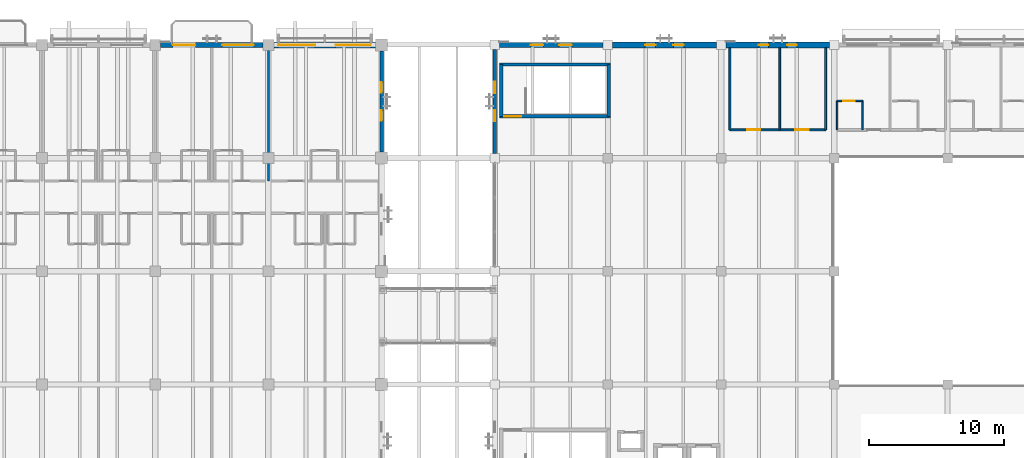
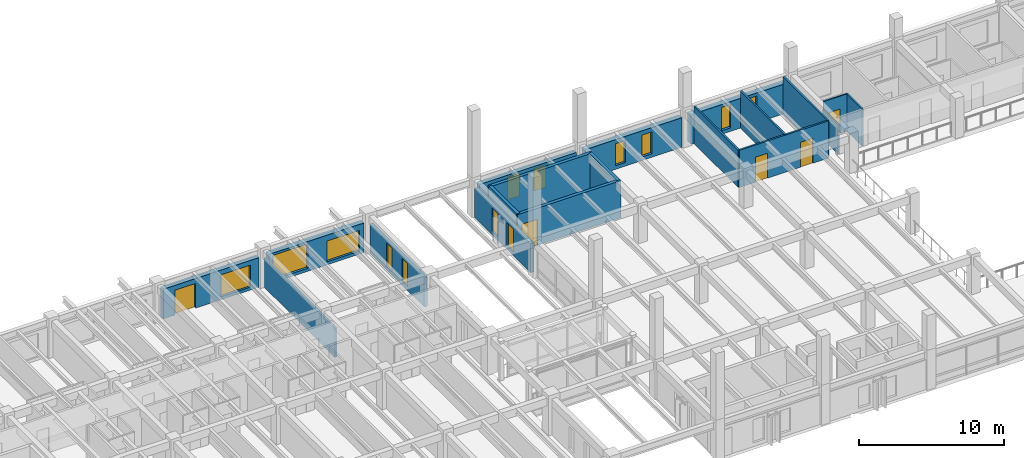
# One storey, part 92 of 123: 19 walls, 13 windows, 5 doors, 18 openings.
"""IFC4 building model written with IfcOpenShell, lengths in metres."""

import ifcopenshell
import ifcopenshell.guid

model = None  # the IFC model being written
_history = None  # IfcOwnerHistory: only IFC2X3 demands one
_inside = {}  # id of a spatial element -> (the spatial element, [elements in it])
_under = {}  # id of a project, library or spatial element -> (it, [spatial elements below it])
_declared = {}  # id of a project -> (the project, [libraries it declares])
_typed = {}  # id of a type object -> (the type object, [elements of that type])
_made_of = {}  # id of a material, layer set ... -> (it, [elements and type objects made of it])


def new_model(schema):
    """Start an empty IFC model of exactly this schema.

    Asked for "IFC4X3", IfcOpenShell would pick the latest addendum, in which some entities
    have other attributes; the version numbers below select the first issue.
    IFC2X3 requires an IfcOwnerHistory on every rooted entity: one is made here for all.
    """
    global model, _history
    if schema == "IFC4X3":
        model = ifcopenshell.file(schema_version=(4, 3, 0, 0))
    else:
        model = ifcopenshell.file(schema=schema)
    _inside.clear()
    _under.clear()
    _declared.clear()
    _typed.clear()
    _made_of.clear()
    _history = None
    if model.schema == "IFC2X3":
        org = make("IfcOrganization", Name="unknown")
        user = make(
            "IfcPersonAndOrganization",
            ThePerson=make("IfcPerson", FamilyName="unknown"),
            TheOrganization=org,
        )
        app = make(
            "IfcApplication",
            ApplicationDeveloper=org,
            Version="unknown",
            ApplicationFullName="unknown",
            ApplicationIdentifier="unknown",
        )
        _history = make(
            "IfcOwnerHistory",
            OwningUser=user,
            OwningApplication=app,
            ChangeAction="ADDED",
            CreationDate=0,
        )
    return model


def make(cls, **values):
    """One entity of the class cls with the attributes given. An attribute that is None is left unset."""
    return model.create_entity(
        cls, **{name: value for name, value in values.items() if value is not None}
    )


def rooted(cls, **values):
    """An entity with a GlobalId (a new one), such as an element, a storey or a relation."""
    return make(cls, GlobalId=ifcopenshell.guid.new(), OwnerHistory=_history, **values)


def si_unit(unit_type, name, prefix=None):
    """IfcSIUnit, for example si_unit("LENGTHUNIT", "METRE", prefix="MILLI")."""
    return make("IfcSIUnit", UnitType=unit_type, Prefix=prefix, Name=name)


def assignment(units):
    """IfcUnitAssignment: the units of a project."""
    return None if units is None else make("IfcUnitAssignment", Units=units)


def point(xyz):
    """IfcCartesianPoint."""
    return None if xyz is None else make("IfcCartesianPoint", Coordinates=xyz)


def direction(xyz):
    """IfcDirection."""
    return None if xyz is None else make("IfcDirection", DirectionRatios=xyz)


def frame(location, z_axis=None, x_axis=None):
    """IfcAxis2Placement3D, a coordinate frame: its origin and axes. An axis left out is left unset."""
    return make(
        "IfcAxis2Placement3D",
        Location=point(location),
        Axis=direction(z_axis),
        RefDirection=direction(x_axis),
    )


def frame_2d(location, x_axis=None):
    """IfcAxis2Placement2D, a coordinate frame in the plane: its origin and x axis."""
    return make(
        "IfcAxis2Placement2D", Location=point(location), RefDirection=direction(x_axis)
    )


def origin():
    """The frame at (0, 0, 0) with its axes left unset."""
    return frame((0.0, 0.0, 0.0))


def place(relative_to, where):
    """IfcLocalPlacement: puts the frame where relative to a parent placement (None: the world)."""
    return make(
        "IfcLocalPlacement", PlacementRelTo=relative_to, RelativePlacement=where
    )


def context(
    kind, dimensions, precision=None, world=None, true_north=None, identifier=None
):
    """IfcGeometricRepresentationContext, for example the 3D "Model" context."""
    return make(
        "IfcGeometricRepresentationContext",
        ContextIdentifier=identifier,
        ContextType=kind,
        CoordinateSpaceDimension=dimensions,
        Precision=precision,
        WorldCoordinateSystem=world,
        TrueNorth=true_north,
    )


def subcontext(parent, identifier, kind, view, scale=None):
    """IfcGeometricRepresentationSubContext, for example "Body" below "Model"."""
    return make(
        "IfcGeometricRepresentationSubContext",
        ContextIdentifier=identifier,
        ContextType=kind,
        ParentContext=parent,
        TargetScale=scale,
        TargetView=view,
    )


def project(units=None, contexts=None):
    """IfcProject with its units and contexts."""
    return rooted(
        "IfcProject",
        Name="project",
        RepresentationContexts=contexts,
        UnitsInContext=assignment(units),
    )


def spatial(cls, under=None, at=None, **own):
    """A site, building, storey or space (cls), placed at a placement, below another one or the project."""
    s = rooted(cls, ObjectPlacement=at, **own)
    if under is not None:
        _under.setdefault(under.id(), (under, []))[1].append(s)
    return s


def profile(cls, at=None, kind="AREA", **sizes):
    """A parametric profile (cls). Its sizes go by their IFC names, for example OverallWidth=200.0."""
    return make(cls, ProfileType=kind, Position=at, **sizes)


def rectangle(**sizes):
    """IfcRectangleProfileDef."""
    return profile("IfcRectangleProfileDef", **sizes)


def extrude(swept, where, along, depth):
    """IfcExtrudedAreaSolid: the profile swept, set in the frame where, extruded along a direction by depth."""
    return make(
        "IfcExtrudedAreaSolid",
        SweptArea=swept,
        Position=where,
        ExtrudedDirection=direction(along),
        Depth=depth,
    )


def shape(context_of_items, identifier, shape_type, items):
    """IfcShapeRepresentation: the items that make up one representation, for example the "Body"."""
    return make(
        "IfcShapeRepresentation",
        ContextOfItems=context_of_items,
        RepresentationIdentifier=identifier,
        RepresentationType=shape_type,
        Items=items,
    )


def material(Name=None, Category=None):
    """IfcMaterial."""
    return make("IfcMaterial", Name=Name, Category=Category)


def layer(
    of_material, thickness, ventilated=None, Name=None, Category=None, Priority=None
):
    """IfcMaterialLayer: one layer of a wall or slab, of a material (None: an air gap)."""
    return make(
        "IfcMaterialLayer",
        Material=of_material,
        LayerThickness=thickness,
        IsVentilated=ventilated,
        Name=Name,
        Category=Category,
        Priority=Priority,
    )


def layer_set(layers, Name=None):
    """IfcMaterialLayerSet."""
    return make("IfcMaterialLayerSet", MaterialLayers=layers, LayerSetName=Name)


def made_of(thing, what):
    """Note that an element or type object is made of a material, layer set ...; save() writes the relation."""
    if what is not None:
        _made_of.setdefault(what.id(), (what, []))[1].append(thing)
    return thing


def type_object(cls, material=None, **own):
    """A type object (cls), such as IfcWallType, which elements share."""
    return made_of(rooted(cls, **own), material)


def element(
    cls,
    number,
    at=None,
    inside=None,
    cuts=None,
    type_object=None,
    material=None,
    context=None,
    identifier="Body",
    shape_type=None,
    held_by="IfcProductDefinitionShape",
    body=None,
    shapes=None,
    **own,
):
    """One element of the class cls, such as IfcWall. Its Tag is "e" and its number.

    at: its placement. inside: the storey or other place that contains it. cuts: it is an
    opening in that element (IfcRelVoidsElement). A single representation is given by context,
    identifier, shape_type and body (its items); several are given by shapes. held_by: the class
    of the entity that holds the representations. save() writes the other relations.
    """
    e = rooted(cls, Tag="e%d" % number, ObjectPlacement=at, **own)
    if body is not None:
        shapes = [shape(context, identifier, shape_type, body)]
    if shapes is not None:
        e.Representation = make(held_by, Representations=shapes)
    if inside is not None:
        _inside.setdefault(inside.id(), (inside, []))[1].append(e)
    if cuts is not None:
        rooted(
            "IfcRelVoidsElement", RelatingBuildingElement=cuts, RelatedOpeningElement=e
        )
    if type_object is not None:
        _typed.setdefault(type_object.id(), (type_object, []))[1].append(e)
    return made_of(e, material)


def fill(opening, filler):
    """IfcRelFillsElement: the door or window that sits in an opening."""
    return rooted(
        "IfcRelFillsElement",
        RelatingOpeningElement=opening,
        RelatedBuildingElement=filler,
    )


def aggregate(whole, parts):
    """IfcRelAggregates: a whole, such as a stair, and the parts it consists of."""
    return rooted("IfcRelAggregates", RelatingObject=whole, RelatedObjects=parts)


def save(model, path):
    """Write the relations noted so far, then the file.

    IfcRelAggregates (storeys below a building ...), IfcRelContainedInSpatialStructure (elements
    in a storey), IfcRelDefinesByType, IfcRelAssociatesMaterial and IfcRelDeclares: one each for
    every whole, place, type object, material and project.
    """
    for whole, parts in _under.values():
        aggregate(whole, parts)
    for where, things in _inside.values():
        rooted(
            "IfcRelContainedInSpatialStructure",
            RelatedElements=things,
            RelatingStructure=where,
        )
    for kind, things in _typed.values():
        rooted("IfcRelDefinesByType", RelatedObjects=things, RelatingType=kind)
    for what, things in _made_of.values():
        rooted("IfcRelAssociatesMaterial", RelatedObjects=things, RelatingMaterial=what)
    for by, libraries in _declared.values():
        rooted("IfcRelDeclares", RelatingContext=by, RelatedDefinitions=libraries)
    model.write(path)


model = new_model("IFC4")

# Units and contexts
model_context = context("Model", 3, precision=1e-05, world=origin(), true_north=direction((0.0, 1.0)))
body_context = subcontext(model_context, "Body", "Model", "MODEL_VIEW")
ifc_project = project(units=[si_unit("LENGTHUNIT", "METRE"), si_unit("AREAUNIT", "SQUARE_METRE"), si_unit("VOLUMEUNIT", "CUBIC_METRE"), si_unit("PLANEANGLEUNIT", "RADIAN"), si_unit("MASSUNIT", "GRAM", prefix="KILO")], contexts=[model_context])

# Site, building, storey
site_placement = place(None, origin())
site = spatial("IfcSite", under=ifc_project, at=site_placement, CompositionType="ELEMENT")
building_placement = place(site_placement, origin())
building = spatial("IfcBuilding", under=site, at=building_placement, Name="Cumbredor Promenade Congress Hotel", CompositionType="ELEMENT")
storey_placement = place(building_placement, frame((0.0, 0.0, 11.760009765625)))
storey = spatial("IfcBuildingStorey", under=building, at=storey_placement, Name="L03", CompositionType="ELEMENT", Elevation=11.760009765625)

# Wall, opening, door
ifc_material_1 = material(Name="Moisture-resistant gypsum board on steel studs", Category="steel")
ifc_layer_1 = layer(ifc_material_1, 0.114990234375, Name="Moisture-resistant gypsum board on steel studs", Category="steel")
ifc_layer_set_1 = layer_set([ifc_layer_1], Name="Moisture-resistant gypsum board on steel studs")
wall_type_1 = type_object("IfcWallType", Name="WL-BATH-115", PredefinedType="PARTITIONING", material=ifc_layer_set_1)
wall_1_placement = place(storey_placement, frame((117.800048828125, 113.449951171875, 0.0), z_axis=(0.0, 0.0, 1.0), x_axis=(1.0, 0.0, 0.0)))
wall_1 = element("IfcWall", 1, at=wall_1_placement, inside=storey, type_object=wall_type_1, Name="L03 Interior Partition W-L03-FBH-F0301", PredefinedType="PARTITIONING", context=body_context, shape_type="SweptSolid", body=[
    extrude(rectangle(XDim=1.89990234375, YDim=0.114990234375, at=frame_2d((0.949951171875, 0.0))), origin(), (0.0, 0.0, 1.0), 3.125),
])
opening_1_placement = place(wall_1_placement, frame((0.449951171875, 0.0, 0.0)))
opening_1 = element("IfcOpeningElement", 2, at=opening_1_placement, cuts=wall_1, Name="Opening ID-01", PredefinedType="OPENING", context=body_context, shape_type="SweptSolid", body=[
    extrude(rectangle(XDim=0.860107421875, YDim=2.050048828125, at=frame_2d((0.43017578125, 1.02490234375))), frame((0.0, 0.0673828125, 0.0), z_axis=(0.0, -1.0, 0.0), x_axis=(1.0, 0.0, 0.0)), (0.0, 0.0, 1.0), 0.135009765625),
])
ifc_material_2 = material(Name="Kiln-dried tropical hardwood", Category="wood")
door_type_1 = type_object("IfcDoorType", Name="DR-BATH-860", OperationType="NOTDEFINED", PredefinedType="DOOR", material=ifc_material_2)
door_1_placement = place(opening_1_placement, origin())
door_1 = element("IfcDoor", 3, at=door_1_placement, inside=storey, type_object=door_type_1, Name="L03 Interior Door W-L03-FBH-F0301-01", OperationType="SINGLE_SWING_LEFT", OverallHeight=2.050048828125, OverallWidth=0.860107421875, PredefinedType="DOOR", context=body_context, shape_type="SweptSolid", body=[
    extrude(rectangle(XDim=0.860107421875, YDim=2.050048828125, at=frame_2d((0.43017578125, 1.02490234375))), frame((0.0, 0.02490234375, 0.0), z_axis=(0.0, -1.0, 0.0), x_axis=(1.0, 0.0, 0.0)), (0.0, 0.0, 1.0), 0.050048828125),
])
fill(opening_1, door_1)

# Walls
wall_2_placement = place(storey_placement, frame((119.699951171875, 111.300048828125, 0.0), z_axis=(0.0, 0.0, 1.0), x_axis=(0.0, 1.0, 0.0)))
element("IfcWall", 4, at=wall_2_placement, inside=storey, type_object=wall_type_1, Name="L03 Interior Partition W-L03-FBV-F0301", PredefinedType="PARTITIONING", context=body_context, shape_type="SweptSolid", body=[
    extrude(rectangle(XDim=2.14990234375, YDim=0.114990234375, at=frame_2d((1.074951171875, 0.0))), origin(), (0.0, 0.0, 1.0), 3.125),
])
wall_3_placement = place(storey_placement, frame((117.800048828125, 111.300048828125, 0.0), z_axis=(0.0, 0.0, 1.0), x_axis=(0.0, 1.0, 0.0)))
element("IfcWall", 5, at=wall_3_placement, inside=storey, type_object=wall_type_1, Name="L03 Interior Partition W-L03-FBV0-F0301", PredefinedType="PARTITIONING", context=body_context, shape_type="SweptSolid", body=[
    extrude(rectangle(XDim=2.14990234375, YDim=0.114990234375, at=frame_2d((1.074951171875, 0.0))), origin(), (0.0, 0.0, 1.0), 2.455078125),
])

# Wall, openings, windows
ifc_material_3 = material(Name="Concrete C40/50", Category="concrete")
ifc_layer_2 = layer(ifc_material_3, 0.260009765625, Name="Concrete C40/50", Category="concrete")
ifc_layer_set_2 = layer_set([ifc_layer_2], Name="Concrete C40/50")
wall_type_2 = type_object("IfcWallType", Name="WL-EXT-260", PredefinedType="SOLIDWALL", material=ifc_layer_set_2)
wall_4_placement = place(storey_placement, frame((92.39990234375, 109.551025390625, 0.0), z_axis=(0.0, 0.0, 1.0), x_axis=(0.0, 1.0, 0.0)))
wall_4 = element("IfcWall", 6, at=wall_4_placement, inside=storey, type_object=wall_type_2, Name="L03 Pre-Function and Breakout Meeting Forum West Envelope Wall 4", PredefinedType="SOLIDWALL", context=body_context, shape_type="SweptSolid", body=[
    extrude(rectangle(XDim=7.697998046875, YDim=0.260009765625, at=frame_2d((3.84912109375, 0.0))), origin(), (0.0, 0.0, 1.0), 2.455078125),
])
opening_2_placement = place(wall_4_placement, frame((2.37890625, 0.0, 0.300048828125)))
opening_2 = element("IfcOpeningElement", 7, at=opening_2_placement, cuts=wall_4, Name="Opening WN-51", PredefinedType="OPENING", context=body_context, shape_type="SweptSolid", body=[
    extrude(rectangle(XDim=0.840087890625, YDim=1.949951171875, at=frame_2d((0.419921875, 0.97509765625))), frame((0.0, 0.14013671875, 0.0), z_axis=(0.0, -1.0, 0.0), x_axis=(1.0, 0.0, 0.0)), (0.0, 0.0, 1.0), 0.280029296875),
])
opening_3_placement = place(wall_4_placement, frame((4.47900390625, 0.0, 0.300048828125)))
opening_3 = element("IfcOpeningElement", 8, at=opening_3_placement, cuts=wall_4, Name="Opening WN-51", PredefinedType="OPENING", context=body_context, shape_type="SweptSolid", body=[
    extrude(rectangle(XDim=0.840087890625, YDim=1.949951171875, at=frame_2d((0.419921875, 0.97509765625))), frame((0.0, 0.14013671875, 0.0), z_axis=(0.0, -1.0, 0.0), x_axis=(1.0, 0.0, 0.0)), (0.0, 0.0, 1.0), 0.280029296875),
])
ifc_material_4 = material(Name="Thermally broken anodized aluminium and low-E glass", Category="aluminium")
window_type_1 = type_object("IfcWindowType", Name="Vertical Slot Window WN-51 840x1950", PartitioningType="SINGLE_PANEL", PredefinedType="WINDOW", material=ifc_material_4)
window_1_placement = place(opening_2_placement, origin())
window_1 = element("IfcWindow", 9, at=window_1_placement, inside=storey, type_object=window_type_1, Name="L03 Vertical Slot Window 0392", OverallHeight=1.949951171875, OverallWidth=0.840087890625, PartitioningType="SINGLE_PANEL", PredefinedType="WINDOW", context=body_context, shape_type="SweptSolid", body=[
    extrude(rectangle(XDim=0.840087890625, YDim=1.949951171875, at=frame_2d((0.419921875, 0.97509765625))), frame((0.0, 0.030029296875, 0.0), z_axis=(0.0, -1.0, 0.0), x_axis=(1.0, 0.0, 0.0)), (0.0, 0.0, 1.0), 0.06005859375),
])
fill(opening_2, window_1)
window_2_placement = place(opening_3_placement, origin())
window_2 = element("IfcWindow", 10, at=window_2_placement, inside=storey, type_object=window_type_1, Name="L03 Vertical Slot Window 0393", OverallHeight=1.949951171875, OverallWidth=0.840087890625, PartitioningType="SINGLE_PANEL", PredefinedType="WINDOW", context=body_context, shape_type="SweptSolid", body=[
    extrude(rectangle(XDim=0.840087890625, YDim=1.949951171875, at=frame_2d((0.419921875, 0.97509765625))), frame((0.0, 0.030029296875, 0.0), z_axis=(0.0, -1.0, 0.0), x_axis=(1.0, 0.0, 0.0)), (0.0, 0.0, 1.0), 0.06005859375),
])
fill(opening_3, window_2)

wall_5_placement = place(storey_placement, frame((84.0, 109.65087890625, 0.0), z_axis=(0.0, 0.0, 1.0), x_axis=(0.0, 1.0, 0.0)))
wall_5 = element("IfcWall", 11, at=wall_5_placement, inside=storey, type_object=wall_type_2, Name="L03 Stepped Congress Hotel Wing East Envelope Wall 4", PredefinedType="SOLIDWALL", context=body_context, shape_type="SweptSolid", body=[
    extrude(rectangle(XDim=7.498046875, YDim=0.260009765625, at=frame_2d((3.7490234375, 0.0))), origin(), (0.0, 0.0, 1.0), 2.455078125),
])
opening_4_placement = place(wall_5_placement, frame((2.30908203125, 0.0, 0.300048828125)))
opening_4 = element("IfcOpeningElement", 12, at=opening_4_placement, cuts=wall_5, Name="Opening WN-50", PredefinedType="OPENING", context=body_context, shape_type="SweptSolid", body=[
    extrude(rectangle(XDim=0.780029296875, YDim=1.949951171875, at=frame_2d((0.39013671875, 0.97509765625))), frame((0.0, 0.14013671875, 0.0), z_axis=(0.0, -1.0, 0.0), x_axis=(1.0, 0.0, 0.0)), (0.0, 0.0, 1.0), 0.280029296875),
])
opening_5_placement = place(wall_5_placement, frame((4.408935546875, 0.0, 0.300048828125)))
opening_5 = element("IfcOpeningElement", 13, at=opening_5_placement, cuts=wall_5, Name="Opening WN-50", PredefinedType="OPENING", context=body_context, shape_type="SweptSolid", body=[
    extrude(rectangle(XDim=0.780029296875, YDim=1.949951171875, at=frame_2d((0.39013671875, 0.97509765625))), frame((0.0, 0.14013671875, 0.0), z_axis=(0.0, -1.0, 0.0), x_axis=(1.0, 0.0, 0.0)), (0.0, 0.0, 1.0), 0.280029296875),
])
window_type_2 = type_object("IfcWindowType", Name="Vertical Slot Window WN-50 780x1950", PartitioningType="SINGLE_PANEL", PredefinedType="WINDOW", material=ifc_material_4)
window_3_placement = place(opening_4_placement, origin())
window_3 = element("IfcWindow", 14, at=window_3_placement, inside=storey, type_object=window_type_2, Name="L03 Vertical Slot Window 0442", OverallHeight=1.949951171875, OverallWidth=0.780029296875, PartitioningType="SINGLE_PANEL", PredefinedType="WINDOW", context=body_context, shape_type="SweptSolid", body=[
    extrude(rectangle(XDim=0.780029296875, YDim=1.949951171875, at=frame_2d((0.39013671875, 0.97509765625))), frame((0.0, 0.030029296875, 0.0), z_axis=(0.0, -1.0, 0.0), x_axis=(1.0, 0.0, 0.0)), (0.0, 0.0, 1.0), 0.06005859375),
])
fill(opening_4, window_3)
window_4_placement = place(opening_5_placement, origin())
window_4 = element("IfcWindow", 15, at=window_4_placement, inside=storey, type_object=window_type_2, Name="L03 Vertical Slot Window 0443", OverallHeight=1.949951171875, OverallWidth=0.780029296875, PartitioningType="SINGLE_PANEL", PredefinedType="WINDOW", context=body_context, shape_type="SweptSolid", body=[
    extrude(rectangle(XDim=0.780029296875, YDim=1.949951171875, at=frame_2d((0.39013671875, 0.97509765625))), frame((0.0, 0.030029296875, 0.0), z_axis=(0.0, -1.0, 0.0), x_axis=(1.0, 0.0, 0.0)), (0.0, 0.0, 1.0), 0.06005859375),
])
fill(opening_5, window_4)

ifc_layer_3 = layer(ifc_material_3, 0.3798828125, Name="Concrete C40/50", Category="concrete")
ifc_layer_set_3 = layer_set([ifc_layer_3], Name="Concrete C40/50")
wall_type_3 = type_object("IfcWallType", Name="WL-EXT-380", PredefinedType="SOLIDWALL", material=ifc_layer_set_3)
wall_6_placement = place(storey_placement, frame((92.7509765625, 117.60009765625, 0.0), z_axis=(0.0, 0.0, 1.0), x_axis=(1.0, 0.0, 0.0)))
wall_6 = element("IfcWall", 16, at=wall_6_placement, inside=storey, type_object=wall_type_3, Name="L03 Pre-Function and Breakout Meeting Forum North Envelope Wall 1", PredefinedType="SOLIDWALL", context=body_context, shape_type="SweptSolid", body=[
    extrude(rectangle(XDim=7.697998046875, YDim=0.3798828125, at=frame_2d((3.84912109375, 0.0))), origin(), (0.0, 0.0, 1.0), 2.493896484375),
])
opening_6_placement = place(wall_6_placement, frame((2.333984375, 0.0, 0.300048828125)))
opening_6 = element("IfcOpeningElement", 17, at=opening_6_placement, cuts=wall_6, Name="Opening WN-68", PredefinedType="OPENING", context=body_context, shape_type="SweptSolid", body=[
    extrude(rectangle(XDim=0.929931640625, YDim=1.89990234375, at=frame_2d((0.46484375, 0.949951171875))), frame((0.0, 0.199951171875, 0.0), z_axis=(0.0, -1.0, 0.0), x_axis=(1.0, 0.0, 0.0)), (0.0, 0.0, 1.0), 0.39990234375),
])
opening_7_placement = place(wall_6_placement, frame((4.43408203125, 0.0, 0.300048828125)))
opening_7 = element("IfcOpeningElement", 18, at=opening_7_placement, cuts=wall_6, Name="Opening WN-68", PredefinedType="OPENING", context=body_context, shape_type="SweptSolid", body=[
    extrude(rectangle(XDim=0.929931640625, YDim=1.89990234375, at=frame_2d((0.46484375, 0.949951171875))), frame((0.0, 0.199951171875, 0.0), z_axis=(0.0, -1.0, 0.0), x_axis=(1.0, 0.0, 0.0)), (0.0, 0.0, 1.0), 0.39990234375),
])
window_type_3 = type_object("IfcWindowType", Name="Vertical Slot Window WN-68 930x1900", PartitioningType="SINGLE_PANEL", PredefinedType="WINDOW", material=ifc_material_4)
window_5_placement = place(opening_6_placement, origin())
window_5 = element("IfcWindow", 19, at=window_5_placement, inside=storey, type_object=window_type_3, Name="L03 Vertical Slot Window 0370", OverallHeight=1.89990234375, OverallWidth=0.929931640625, PartitioningType="SINGLE_PANEL", PredefinedType="WINDOW", context=body_context, shape_type="SweptSolid", body=[
    extrude(rectangle(XDim=0.929931640625, YDim=1.89990234375, at=frame_2d((0.46484375, 0.949951171875))), frame((0.0, 0.030029296875, 0.0), z_axis=(0.0, -1.0, 0.0), x_axis=(1.0, 0.0, 0.0)), (0.0, 0.0, 1.0), 0.06005859375),
])
fill(opening_6, window_5)
window_6_placement = place(opening_7_placement, origin())
window_6 = element("IfcWindow", 20, at=window_6_placement, inside=storey, type_object=window_type_3, Name="L03 Vertical Slot Window 0371", OverallHeight=1.89990234375, OverallWidth=0.929931640625, PartitioningType="SINGLE_PANEL", PredefinedType="WINDOW", context=body_context, shape_type="SweptSolid", body=[
    extrude(rectangle(XDim=0.929931640625, YDim=1.89990234375, at=frame_2d((0.46484375, 0.949951171875))), frame((0.0, 0.030029296875, 0.0), z_axis=(0.0, -1.0, 0.0), x_axis=(1.0, 0.0, 0.0)), (0.0, 0.0, 1.0), 0.06005859375),
])
fill(opening_7, window_6)

# Wall, openings, door, window
wall_7_placement = place(storey_placement, frame((67.60107421875, 117.60009765625, 0.0), z_axis=(0.0, 0.0, 1.0), x_axis=(1.0, 0.0, 0.0)))
wall_7 = element("IfcWall", 21, at=wall_7_placement, inside=storey, type_object=wall_type_3, Name="L03 Stepped Congress Hotel Wing North Envelope Wall 9", PredefinedType="SOLIDWALL", context=body_context, shape_type="SweptSolid", body=[
    extrude(rectangle(XDim=7.597900390625, YDim=0.3798828125, at=frame_2d((3.798828125, 0.0))), origin(), (0.0, 0.0, 1.0), 2.493896484375),
])
opening_8_placement = place(wall_7_placement, frame((0.924072265625, 0.0, 0.0)))
opening_8 = element("IfcOpeningElement", 22, at=opening_8_placement, cuts=wall_7, Name="Opening TD-02", PredefinedType="OPENING", context=body_context, shape_type="SweptSolid", body=[
    extrude(rectangle(XDim=1.64990234375, YDim=2.080078125, at=frame_2d((0.824951171875, 1.0400390625))), frame((0.0, 0.199951171875, 0.0), z_axis=(0.0, -1.0, 0.0), x_axis=(1.0, 0.0, 0.0)), (0.0, 0.0, 1.0), 0.39990234375),
])
opening_9_placement = place(wall_7_placement, frame((4.573974609375, 0.0, 0.25)))
opening_9 = element("IfcOpeningElement", 23, at=opening_9_placement, cuts=wall_7, Name="Opening WN-02", PredefinedType="OPENING", context=body_context, shape_type="SweptSolid", body=[
    extrude(rectangle(XDim=2.35009765625, YDim=1.85009765625, at=frame_2d((1.175048828125, 0.925048828125))), frame((0.0, 0.199951171875, 0.0), z_axis=(0.0, -1.0, 0.0), x_axis=(1.0, 0.0, 0.0)), (0.0, 0.0, 1.0), 0.39990234375),
])
ifc_material_5 = material(Name="Thermally broken anodized aluminium and laminated safety glass", Category="aluminium")
door_type_2 = type_object("IfcDoorType", Name="EXT-DR-TER-1650x2080", OperationType="DOUBLE_DOOR_SINGLE_SWING", PredefinedType="DOOR", material=ifc_material_5)
door_2_placement = place(opening_8_placement, origin())
door_2 = element("IfcDoor", 24, at=door_2_placement, inside=storey, type_object=door_type_2, Name="L03 Guestroom Veranda Balcony Door 049", OperationType="DOUBLE_DOOR_SINGLE_SWING", OverallHeight=2.080078125, OverallWidth=1.64990234375, PredefinedType="DOOR", context=body_context, shape_type="SweptSolid", body=[
    extrude(rectangle(XDim=1.64990234375, YDim=2.080078125, at=frame_2d((0.824951171875, 1.0400390625))), frame((0.0, 0.02490234375, 0.0), z_axis=(0.0, -1.0, 0.0), x_axis=(1.0, 0.0, 0.0)), (0.0, 0.0, 1.0), 0.050048828125),
])
fill(opening_8, door_2)
window_type_4 = type_object("IfcWindowType", Name="Hospitality Floor-to-Ceiling Window WN-02 2350x1850", PartitioningType="DOUBLE_PANEL_VERTICAL", PredefinedType="WINDOW", material=ifc_material_4)
window_7_placement = place(opening_9_placement, origin())
window_7 = element("IfcWindow", 25, at=window_7_placement, inside=storey, type_object=window_type_4, Name="L03 Veranda Companion Floor-to-Ceiling Window 0427", OverallHeight=1.85009765625, OverallWidth=2.35009765625, PartitioningType="DOUBLE_PANEL_VERTICAL", PredefinedType="WINDOW", context=body_context, shape_type="SweptSolid", body=[
    extrude(rectangle(XDim=2.35009765625, YDim=1.85009765625, at=frame_2d((1.175048828125, 0.925048828125))), frame((0.0, 0.030029296875, 0.0), z_axis=(0.0, -1.0, 0.0), x_axis=(1.0, 0.0, 0.0)), (0.0, 0.0, 1.0), 0.06005859375),
])
fill(opening_9, window_7)

# Wall, openings, windows
ifc_layer_4 = layer(ifc_material_3, 0.425048828125, Name="Concrete C40/50", Category="concrete")
ifc_layer_set_4 = layer_set([ifc_layer_4], Name="Concrete C40/50")
wall_type_4 = type_object("IfcWallType", Name="WL-EXT-425", PredefinedType="SOLIDWALL", material=ifc_layer_set_4)
wall_8_placement = place(storey_placement, frame((101.15087890625, 117.60009765625, 0.0), z_axis=(0.0, 0.0, 1.0), x_axis=(1.0, 0.0, 0.0)))
wall_8 = element("IfcWall", 26, at=wall_8_placement, inside=storey, type_object=wall_type_4, Name="L03 Pre-Function and Breakout Meeting Forum North Envelope Wall 2", PredefinedType="SOLIDWALL", context=body_context, shape_type="SweptSolid", body=[
    extrude(rectangle(XDim=7.6982421875, YDim=0.425048828125, at=frame_2d((3.84912109375, 0.0))), origin(), (0.0, 0.0, 1.0), 2.493896484375),
])
opening_10_placement = place(wall_8_placement, frame((2.408935546875, 0.0, 0.300048828125)))
opening_10 = element("IfcOpeningElement", 27, at=opening_10_placement, cuts=wall_8, Name="Opening WN-46", PredefinedType="OPENING", context=body_context, shape_type="SweptSolid", body=[
    extrude(rectangle(XDim=0.780029296875, YDim=1.85009765625, at=frame_2d((0.39013671875, 0.925048828125))), frame((0.0, 0.22265625, 0.0), z_axis=(0.0, -1.0, 0.0), x_axis=(1.0, 0.0, 0.0)), (0.0, 0.0, 1.0), 0.445068359375),
])
opening_11_placement = place(wall_8_placement, frame((4.509033203125, 0.0, 0.300048828125)))
opening_11 = element("IfcOpeningElement", 28, at=opening_11_placement, cuts=wall_8, Name="Opening WN-46", PredefinedType="OPENING", context=body_context, shape_type="SweptSolid", body=[
    extrude(rectangle(XDim=0.780029296875, YDim=1.85009765625, at=frame_2d((0.39013671875, 0.925048828125))), frame((0.0, 0.22265625, 0.0), z_axis=(0.0, -1.0, 0.0), x_axis=(1.0, 0.0, 0.0)), (0.0, 0.0, 1.0), 0.445068359375),
])
window_type_5 = type_object("IfcWindowType", Name="Vertical Slot Window WN-46 780x1850", PartitioningType="SINGLE_PANEL", PredefinedType="WINDOW", material=ifc_material_4)
window_8_placement = place(opening_10_placement, origin())
window_8 = element("IfcWindow", 29, at=window_8_placement, inside=storey, type_object=window_type_5, Name="L03 Vertical Slot Window 0372", OverallHeight=1.85009765625, OverallWidth=0.780029296875, PartitioningType="SINGLE_PANEL", PredefinedType="WINDOW", context=body_context, shape_type="SweptSolid", body=[
    extrude(rectangle(XDim=0.780029296875, YDim=1.85009765625, at=frame_2d((0.39013671875, 0.925048828125))), frame((0.0, 0.030029296875, 0.0), z_axis=(0.0, -1.0, 0.0), x_axis=(1.0, 0.0, 0.0)), (0.0, 0.0, 1.0), 0.06005859375),
])
fill(opening_10, window_8)
window_9_placement = place(opening_11_placement, origin())
window_9 = element("IfcWindow", 30, at=window_9_placement, inside=storey, type_object=window_type_5, Name="L03 Vertical Slot Window 0373", OverallHeight=1.85009765625, OverallWidth=0.780029296875, PartitioningType="SINGLE_PANEL", PredefinedType="WINDOW", context=body_context, shape_type="SweptSolid", body=[
    extrude(rectangle(XDim=0.780029296875, YDim=1.85009765625, at=frame_2d((0.39013671875, 0.925048828125))), frame((0.0, 0.030029296875, 0.0), z_axis=(0.0, -1.0, 0.0), x_axis=(1.0, 0.0, 0.0)), (0.0, 0.0, 1.0), 0.06005859375),
])
fill(opening_11, window_9)

wall_9_placement = place(storey_placement, frame((76.0009765625, 117.60009765625, 0.0), z_axis=(0.0, 0.0, 1.0), x_axis=(1.0, 0.0, 0.0)))
wall_9 = element("IfcWall", 31, at=wall_9_placement, inside=storey, type_object=wall_type_4, Name="L03 Stepped Congress Hotel Wing North Envelope Wall 10", PredefinedType="SOLIDWALL", context=body_context, shape_type="SweptSolid", body=[
    extrude(rectangle(XDim=7.548095703125, YDim=0.425048828125, at=frame_2d((3.77392578125, 0.0))), origin(), (0.0, 0.0, 1.0), 2.493896484375),
])
opening_12_placement = place(wall_9_placement, frame((0.323974609375, 0.0, 0.25)))
opening_12 = element("IfcOpeningElement", 32, at=opening_12_placement, cuts=wall_9, Name="Opening WN-18", PredefinedType="OPENING", context=body_context, shape_type="SweptSolid", body=[
    extrude(rectangle(XDim=2.75, YDim=2.050048828125, at=frame_2d((1.375, 1.02490234375))), frame((0.0, 0.22265625, 0.0), z_axis=(0.0, -1.0, 0.0), x_axis=(1.0, 0.0, 0.0)), (0.0, 0.0, 1.0), 0.445068359375),
])
opening_13_placement = place(wall_9_placement, frame((4.59912109375, 0.0, 0.25)))
opening_13 = element("IfcOpeningElement", 33, at=opening_13_placement, cuts=wall_9, Name="Opening WN-28", PredefinedType="OPENING", context=body_context, shape_type="SweptSolid", body=[
    extrude(rectangle(XDim=2.60009765625, YDim=1.75, at=frame_2d((1.300048828125, 0.875))), frame((0.0, 0.22265625, 0.0), z_axis=(0.0, -1.0, 0.0), x_axis=(1.0, 0.0, 0.0)), (0.0, 0.0, 1.0), 0.445068359375),
])
window_type_6 = type_object("IfcWindowType", Name="Hospitality Floor-to-Ceiling Window WN-18 2750x2050", PartitioningType="DOUBLE_PANEL_VERTICAL", PredefinedType="WINDOW", material=ifc_material_4)
window_10_placement = place(opening_12_placement, origin())
window_10 = element("IfcWindow", 34, at=window_10_placement, inside=storey, type_object=window_type_6, Name="L03 Wide Hospitality Window 0428", OverallHeight=2.050048828125, OverallWidth=2.75, PartitioningType="DOUBLE_PANEL_VERTICAL", PredefinedType="WINDOW", context=body_context, shape_type="SweptSolid", body=[
    extrude(rectangle(XDim=2.75, YDim=2.050048828125, at=frame_2d((1.375, 1.02490234375))), frame((0.0, 0.030029296875, 0.0), z_axis=(0.0, -1.0, 0.0), x_axis=(1.0, 0.0, 0.0)), (0.0, 0.0, 1.0), 0.06005859375),
])
fill(opening_12, window_10)
window_type_7 = type_object("IfcWindowType", Name="Hospitality Floor-to-Ceiling Window WN-28 2600x1750", PartitioningType="DOUBLE_PANEL_VERTICAL", PredefinedType="WINDOW", material=ifc_material_4)
window_11_placement = place(opening_13_placement, origin())
window_11 = element("IfcWindow", 35, at=window_11_placement, inside=storey, type_object=window_type_7, Name="L03 Wide Hospitality Window 0429", OverallHeight=1.75, OverallWidth=2.60009765625, PartitioningType="DOUBLE_PANEL_VERTICAL", PredefinedType="WINDOW", context=body_context, shape_type="SweptSolid", body=[
    extrude(rectangle(XDim=2.60009765625, YDim=1.75, at=frame_2d((1.300048828125, 0.875))), frame((0.0, 0.030029296875, 0.0), z_axis=(0.0, -1.0, 0.0), x_axis=(1.0, 0.0, 0.0)), (0.0, 0.0, 1.0), 0.06005859375),
])
fill(opening_13, window_11)

ifc_layer_5 = layer(ifc_material_3, 0.449951171875, Name="Concrete C40/50", Category="concrete")
ifc_layer_set_5 = layer_set([ifc_layer_5], Name="Concrete C40/50")
wall_type_5 = type_object("IfcWallType", Name="WL-EXT-450", PredefinedType="SOLIDWALL", material=ifc_layer_set_5)
wall_10_placement = place(storey_placement, frame((109.551025390625, 117.60009765625, 0.0), z_axis=(0.0, 0.0, 1.0), x_axis=(1.0, 0.0, 0.0)))
wall_10 = element("IfcWall", 36, at=wall_10_placement, inside=storey, type_object=wall_type_5, Name="L03 Pre-Function and Breakout Meeting Forum North Envelope Wall 3", PredefinedType="SOLIDWALL", context=body_context, shape_type="SweptSolid", body=[
    extrude(rectangle(XDim=7.697998046875, YDim=0.449951171875, at=frame_2d((3.84912109375, 0.0))), origin(), (0.0, 0.0, 1.0), 2.493896484375),
])
opening_14_placement = place(wall_10_placement, frame((2.43896484375, 0.0, 0.300048828125)))
opening_14 = element("IfcOpeningElement", 37, at=opening_14_placement, cuts=wall_10, Name="Opening WN-49", PredefinedType="OPENING", context=body_context, shape_type="SweptSolid", body=[
    extrude(rectangle(XDim=0.719970703125, YDim=1.949951171875, at=frame_2d((0.35986328125, 0.97509765625))), frame((0.0, 0.23486328125, 0.0), z_axis=(0.0, -1.0, 0.0), x_axis=(1.0, 0.0, 0.0)), (0.0, 0.0, 1.0), 0.469970703125),
])
opening_15_placement = place(wall_10_placement, frame((4.5390625, 0.0, 0.300048828125)))
opening_15 = element("IfcOpeningElement", 38, at=opening_15_placement, cuts=wall_10, Name="Opening WN-49", PredefinedType="OPENING", context=body_context, shape_type="SweptSolid", body=[
    extrude(rectangle(XDim=0.719970703125, YDim=1.949951171875, at=frame_2d((0.35986328125, 0.97509765625))), frame((0.0, 0.23486328125, 0.0), z_axis=(0.0, -1.0, 0.0), x_axis=(1.0, 0.0, 0.0)), (0.0, 0.0, 1.0), 0.469970703125),
])
window_type_8 = type_object("IfcWindowType", Name="Vertical Slot Window WN-49 720x1950", PartitioningType="SINGLE_PANEL", PredefinedType="WINDOW", material=ifc_material_4)
window_12_placement = place(opening_14_placement, origin())
window_12 = element("IfcWindow", 39, at=window_12_placement, inside=storey, type_object=window_type_8, Name="L03 Vertical Slot Window 0374", OverallHeight=1.949951171875, OverallWidth=0.719970703125, PartitioningType="SINGLE_PANEL", PredefinedType="WINDOW", context=body_context, shape_type="SweptSolid", body=[
    extrude(rectangle(XDim=0.719970703125, YDim=1.949951171875, at=frame_2d((0.35986328125, 0.97509765625))), frame((0.0, 0.030029296875, 0.0), z_axis=(0.0, -1.0, 0.0), x_axis=(1.0, 0.0, 0.0)), (0.0, 0.0, 1.0), 0.06005859375),
])
fill(opening_14, window_12)
window_13_placement = place(opening_15_placement, origin())
window_13 = element("IfcWindow", 40, at=window_13_placement, inside=storey, type_object=window_type_8, Name="L03 Vertical Slot Window 0375", OverallHeight=1.949951171875, OverallWidth=0.719970703125, PartitioningType="SINGLE_PANEL", PredefinedType="WINDOW", context=body_context, shape_type="SweptSolid", body=[
    extrude(rectangle(XDim=0.719970703125, YDim=1.949951171875, at=frame_2d((0.35986328125, 0.97509765625))), frame((0.0, 0.030029296875, 0.0), z_axis=(0.0, -1.0, 0.0), x_axis=(1.0, 0.0, 0.0)), (0.0, 0.0, 1.0), 0.06005859375),
])
fill(opening_15, window_13)

# Wall, openings, doors
ifc_material_6 = material(Name="Acoustic gypsum partition on steel studs", Category="steel")
ifc_layer_6 = layer(ifc_material_6, 0.139892578125, Name="Acoustic gypsum partition on steel studs", Category="steel")
ifc_layer_set_6 = layer_set([ifc_layer_6], Name="Acoustic gypsum partition on steel studs")
wall_type_6 = type_object("IfcWallType", Name="WL-PART-140", PredefinedType="PARTITIONING", material=ifc_layer_set_6)
wall_11_placement = place(storey_placement, frame((109.85009765625, 111.300048828125, 0.0), z_axis=(0.0, 0.0, 1.0), x_axis=(1.0, 0.0, 0.0)))
wall_11 = element("IfcWall", 41, at=wall_11_placement, inside=storey, type_object=wall_type_6, Name="L03 Interior Partition W-L03-V4-WC", PredefinedType="PARTITIONING", context=body_context, shape_type="SweptSolid", body=[
    extrude(rectangle(XDim=7.099853515625, YDim=0.139892578125, at=frame_2d((3.5498046875, 0.0))), origin(), (0.0, 0.0, 1.0), 3.125),
])
opening_16_placement = place(wall_11_placement, frame((1.300048828125, 0.0, 0.0)))
opening_16 = element("IfcOpeningElement", 42, at=opening_16_placement, cuts=wall_11, Name="Opening ID-02", PredefinedType="OPENING", context=body_context, shape_type="SweptSolid", body=[
    extrude(rectangle(XDim=0.949951171875, YDim=2.10009765625, at=frame_2d((0.47509765625, 1.050048828125))), frame((0.0, 0.080078125, 0.0), z_axis=(0.0, -1.0, 0.0), x_axis=(1.0, 0.0, 0.0)), (0.0, 0.0, 1.0), 0.159912109375),
])
opening_17_placement = place(wall_11_placement, frame((4.85009765625, 0.0, 0.0)))
opening_17 = element("IfcOpeningElement", 43, at=opening_17_placement, cuts=wall_11, Name="Opening ID-03", PredefinedType="OPENING", context=body_context, shape_type="SweptSolid", body=[
    extrude(rectangle(XDim=1.0, YDim=2.10009765625, at=frame_2d((0.5, 1.050048828125))), frame((0.0, 0.080078125, 0.0), z_axis=(0.0, -1.0, 0.0), x_axis=(1.0, 0.0, 0.0)), (0.0, 0.0, 1.0), 0.159912109375),
])
door_type_3 = type_object("IfcDoorType", Name="DR-ACC-1000", OperationType="NOTDEFINED", PredefinedType="DOOR", material=ifc_material_2)
door_3_placement = place(opening_17_placement, origin())
door_3 = element("IfcDoor", 44, at=door_3_placement, inside=storey, type_object=door_type_3, Name="L03 Interior Door W-L03-V4-WC-02", OperationType="SINGLE_SWING_RIGHT", OverallHeight=2.10009765625, OverallWidth=1.0, PredefinedType="DOOR", context=body_context, shape_type="SweptSolid", body=[
    extrude(rectangle(XDim=1.0, YDim=2.10009765625, at=frame_2d((0.5, 1.050048828125))), frame((0.0, 0.02490234375, 0.0), z_axis=(0.0, -1.0, 0.0), x_axis=(1.0, 0.0, 0.0)), (0.0, 0.0, 1.0), 0.050048828125),
])
fill(opening_17, door_3)
door_type_4 = type_object("IfcDoorType", Name="DR-INT-950", OperationType="NOTDEFINED", PredefinedType="DOOR", material=ifc_material_2)
door_4_placement = place(opening_16_placement, origin())
door_4 = element("IfcDoor", 45, at=door_4_placement, inside=storey, type_object=door_type_4, Name="L03 Interior Door W-L03-V4-WC-01", OperationType="SINGLE_SWING_LEFT", OverallHeight=2.10009765625, OverallWidth=0.949951171875, PredefinedType="DOOR", context=body_context, shape_type="SweptSolid", body=[
    extrude(rectangle(XDim=0.949951171875, YDim=2.10009765625, at=frame_2d((0.47509765625, 1.050048828125))), frame((0.0, 0.02490234375, 0.0), z_axis=(0.0, -1.0, 0.0), x_axis=(1.0, 0.0, 0.0)), (0.0, 0.0, 1.0), 0.050048828125),
])
fill(opening_16, door_4)

# Walls
for number, where, z_axis, x_axis, name in (
    (46, (109.85009765625, 111.300048828125, 0.0), (0.0, 0.0, 1.0), (0.0, 1.0, 0.0), "L03 Interior Partition W-L03-V4-WC-W"),
    (47, (113.550048828125, 111.300048828125, 0.0), (0.0, 0.0, 1.0), (0.0, 1.0, 0.0), "L03 Interior Partition W-L03-V4-WC-M"),
    (48, (116.949951171875, 111.300048828125, 0.0), (0.0, 0.0, 1.0), (0.0, 1.0, 0.0), "L03 Interior Partition W-L03-V4-WC-E"),
):
    element("IfcWall", number, at=place(storey_placement, frame(where, z_axis=z_axis, x_axis=x_axis)), inside=storey, type_object=wall_type_6, Name=name, PredefinedType="PARTITIONING", context=body_context, shape_type="SweptSolid", body=[
        extrude(rectangle(XDim=6.074951171875, YDim=0.139892578125, at=frame_2d((3.03759765625, 0.0))), origin(), (0.0, 0.0, 1.0), 3.125),
    ])

# Wall, opening, door
ifc_layer_7 = layer(ifc_material_3, 0.2548828125, Name="Concrete C40/50", Category="concrete")
ifc_layer_set_7 = layer_set([ifc_layer_7], Name="Concrete C40/50")
wall_type_7 = type_object("IfcWallType", Name="WL-SHAFT-250", PredefinedType="SOLIDWALL", material=ifc_layer_set_7)
wall_12_placement = place(storey_placement, frame((92.75244140625, 112.300048828125, 0.0), z_axis=(0.0, 0.0, 1.0), x_axis=(1.0, 0.0, 0.0)))
wall_12 = element("IfcWall", 49, at=wall_12_placement, inside=storey, type_object=wall_type_7, Name="STAIR-ST-15-L03 Shaft Wall South", PredefinedType="SOLIDWALL", context=body_context, shape_type="SweptSolid", body=[
    extrude(rectangle(XDim=8.22509765625, YDim=0.2548828125, at=frame_2d((4.112548828125, 0.0))), origin(), (0.0, 0.0, 1.0), 3.125),
])
opening_18_placement = place(wall_12_placement, frame((0.35009765625, 0.0, 0.0)))
opening_18 = element("IfcOpeningElement", 50, at=opening_18_placement, cuts=wall_12, Name="Opening SD-02", PredefinedType="OPENING", context=body_context, shape_type="SweptSolid", body=[
    extrude(rectangle(XDim=1.25, YDim=2.199951171875, at=frame_2d((0.625, 1.10009765625))), frame((0.0, 0.137451171875, 0.0), z_axis=(0.0, -1.0, 0.0), x_axis=(1.0, 0.0, 0.0)), (0.0, 0.0, 1.0), 0.27490234375),
])
ifc_material_7 = material(Name="Painted galvanized steel fire door", Category="steel")
door_type_5 = type_object("IfcDoorType", Name="DR-STAIR-FD90-1250", OperationType="NOTDEFINED", PredefinedType="DOOR", material=ifc_material_7)
door_5_placement = place(opening_18_placement, origin())
door_5 = element("IfcDoor", 51, at=door_5_placement, inside=storey, type_object=door_type_5, Name="L03 Protected Exit Stair ST-15 Door", OperationType="SINGLE_SWING_LEFT", OverallHeight=2.199951171875, OverallWidth=1.25, PredefinedType="DOOR", context=body_context, shape_type="SweptSolid", body=[
    extrude(rectangle(XDim=1.25, YDim=2.199951171875, at=frame_2d((0.625, 1.10009765625))), frame((0.0, 0.02490234375, 0.0), z_axis=(0.0, -1.0, 0.0), x_axis=(1.0, 0.0, 0.0)), (0.0, 0.0, 1.0), 0.050048828125),
])
fill(opening_18, door_5)

# Walls
wall_13_placement = place(storey_placement, frame((92.75244140625, 116.14990234375, 0.0), z_axis=(0.0, 0.0, 1.0), x_axis=(1.0, 0.0, 0.0)))
element("IfcWall", 52, at=wall_13_placement, inside=storey, type_object=wall_type_7, Name="STAIR-ST-15-L03 Shaft Wall North", PredefinedType="SOLIDWALL", context=body_context, shape_type="SweptSolid", body=[
    extrude(rectangle(XDim=8.22509765625, YDim=0.2548828125, at=frame_2d((4.112548828125, 0.0))), origin(), (0.0, 0.0, 1.0), 3.125),
])
for number, where, z_axis, x_axis, name in (
    (53, (92.8798828125, 112.300048828125, 0.0), (0.0, 0.0, 1.0), (0.0, 1.0, 0.0), "STAIR-ST-15-L03 Shaft Wall West"),
    (54, (100.85009765625, 112.300048828125, 0.0), (0.0, 0.0, 1.0), (0.0, 1.0, 0.0), "STAIR-ST-15-L03 Shaft Wall East"),
):
    element("IfcWall", number, at=place(storey_placement, frame(where, z_axis=z_axis, x_axis=x_axis)), inside=storey, type_object=wall_type_7, Name=name, PredefinedType="SOLIDWALL", context=body_context, shape_type="SweptSolid", body=[
        extrude(rectangle(XDim=3.849853515625, YDim=0.2548828125, at=frame_2d((1.9248046875, 0.0))), origin(), (0.0, 0.0, 1.0), 3.125),
    ])
ifc_material_8 = material(Name="Fire-rated acoustic double-stud partition")
ifc_layer_8 = layer(ifc_material_8, 0.1650390625, Name="Fire-rated acoustic double-stud partition")
ifc_layer_set_8 = layer_set([ifc_layer_8], Name="Fire-rated acoustic double-stud partition")
wall_type_8 = type_object("IfcWallType", Name="WL-UNIT-165", PredefinedType="PARTITIONING", material=ifc_layer_set_8)
wall_14_placement = place(storey_placement, frame((75.60009765625, 107.5, 0.0), z_axis=(0.0, 0.0, 1.0), x_axis=(0.0, 1.0, 0.0)))
element("IfcWall", 55, at=wall_14_placement, inside=storey, type_object=wall_type_8, Name="L03 Interior Partition W-L03-N-DIV-9-G", PredefinedType="PARTITIONING", context=body_context, shape_type="SweptSolid", body=[
    extrude(rectangle(XDim=9.75, YDim=0.1650390625, at=frame_2d((4.875, 0.0))), origin(), (0.0, 0.0, 1.0), 2.455078125),
])

save(model, "model.ifc")
